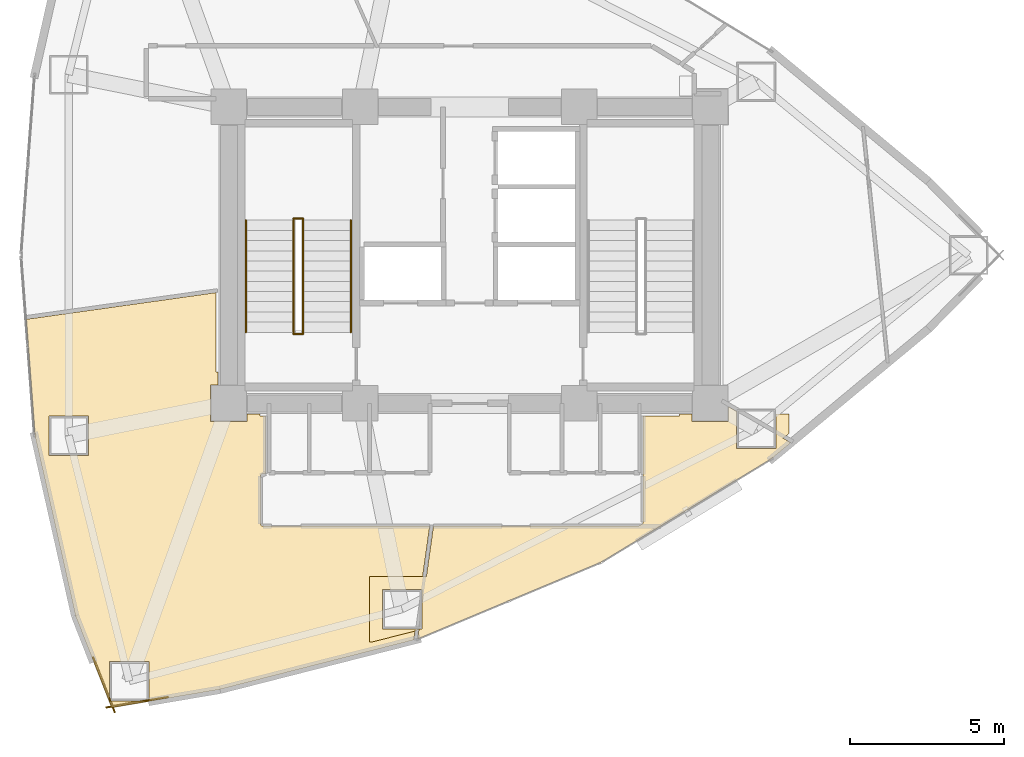
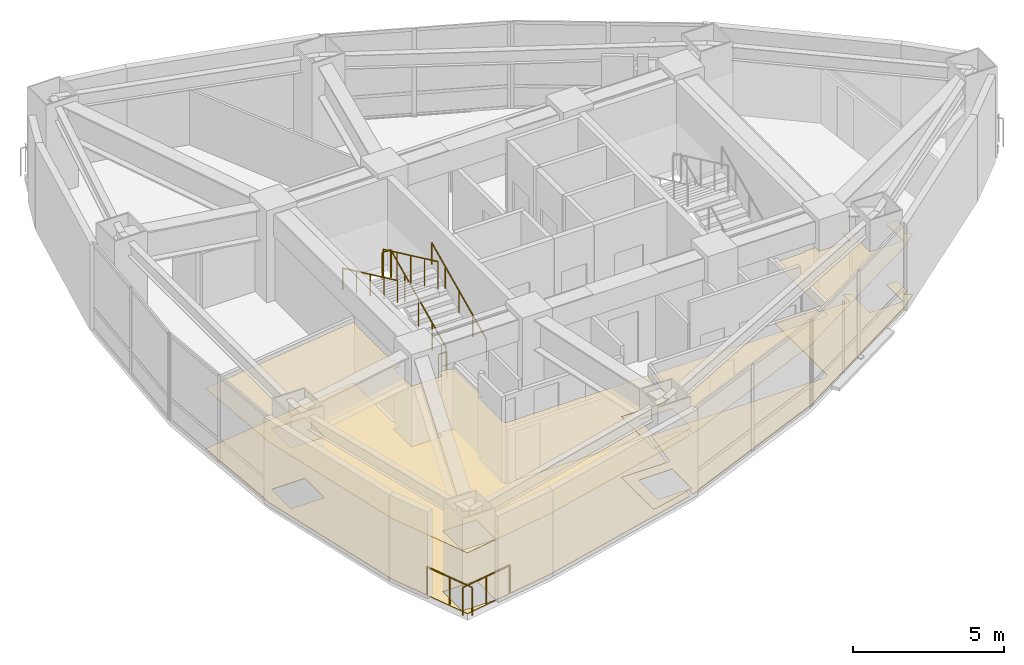
# One storey, part 16 of 17: 8 railings, 4 coverings.
"""IFC4 building model written with IfcOpenShell, lengths in metres."""

from ifc_helpers import new_model, si_unit, direction, frame, origin, origin_2d, place, context, subcontext, project, spatial, polyline, circle, outline, extrude, material, layer, layer_set, type_object, element, save


model = new_model("IFC4")

# Units and contexts
model_context = context("Model", 3, precision=1e-05, world=origin(), true_north=direction((0.0, 1.0)))
body_context = subcontext(model_context, "Body", "Model", "MODEL_VIEW")
ifc_project = project(units=[si_unit("LENGTHUNIT", "METRE"), si_unit("AREAUNIT", "SQUARE_METRE"), si_unit("VOLUMEUNIT", "CUBIC_METRE"), si_unit("PLANEANGLEUNIT", "RADIAN"), si_unit("MASSUNIT", "GRAM", prefix="KILO")], contexts=[model_context])

# Site, building, storey
site_placement = place(None, origin())
site = spatial("IfcSite", under=ifc_project, at=site_placement, CompositionType="ELEMENT")
building_placement = place(site_placement, origin())
building = spatial("IfcBuilding", under=site, at=building_placement, Name="Menara Vayukalpa", CompositionType="ELEMENT")
storey_placement = place(building_placement, frame((0.0, 0.0, 133.739990234375)))
storey = spatial("IfcBuildingStorey", under=building, at=storey_placement, Name="L33", CompositionType="ELEMENT", Elevation=133.739990234375)

# Coverings
ifc_material_1 = material(Name="Mineral Fibre Acoustic Ceiling Tile", Category="masonry")
ifc_layer_1 = layer(ifc_material_1, 0.02490234375)
ifc_layer_set_1 = layer_set([ifc_layer_1], Name="Mineral Fibre Acoustic Ceiling Tile")
covering_type_1 = type_object("IfcCoveringType", Name="COV-CLG1", PredefinedType="CEILING", material=ifc_layer_set_1)
covering_1_placement = place(storey_placement, frame((0.0, 0.0, 2.449951171875)))
element("IfcCovering", 1, at=covering_1_placement, inside=storey, type_object=covering_type_1, Name="L33 Operations Support Office Acoustic Ceiling", PredefinedType="CEILING", context=body_context, shape_type="SweptSolid", body=[
    extrude(outline(polyline([(24.46826171875, 10.090576171875), (24.048095703125, 9.914794921875), (24.048095703125, 11.172607421875), (22.768310546875, 11.172607421875), (22.768310546875, 9.892578125), (23.9951171875, 9.892578125), (23.827880859375, 9.82275390625), (23.7880859375, 9.538818359375), (23.787841796875, 9.53759765625), (23.78759765625, 9.536865234375), (23.787353515625, 9.535888671875), (23.786865234375, 9.534912109375), (23.786376953125, 9.5341796875), (23.78564453125, 9.533447265625), (23.784912109375, 9.53271484375), (23.7841796875, 9.531982421875), (23.783447265625, 9.531494140625), (23.782470703125, 9.531005859375), (23.781494140625, 9.53076171875), (23.78076171875, 9.530517578125), (17.5087890625, 7.930908203125), (17.5078125, 7.9306640625), (14.00830078125, 7.33642578125), (14.00732421875, 7.33642578125), (14.00634765625, 7.33642578125), (14.005615234375, 7.33642578125), (14.00439453125, 7.336669921875), (14.003662109375, 7.3369140625), (14.002685546875, 7.33740234375), (14.001708984375, 7.337646484375), (14.0009765625, 7.338134765625), (14.000244140625, 7.3388671875), (13.99951171875, 7.339599609375), (13.998779296875, 7.340087890625), (13.998291015625, 7.341064453125), (13.997802734375, 7.341796875), (13.997314453125, 7.3427734375), (12.831787109375, 10.310791015625), (12.83154296875, 10.3115234375), (12.831298828125, 10.312255859375), (11.5166015625, 16.155029296875), (11.516357421875, 16.156494140625), (11.23486328125, 19.9111328125), (11.23486328125, 19.912109375), (11.235107421875, 19.9130859375), (11.235107421875, 19.9140625), (11.2353515625, 19.9150390625), (11.23583984375, 19.916015625), (11.236328125, 19.916748046875), (11.23681640625, 19.917724609375), (11.2373046875, 19.91845703125), (11.238037109375, 19.919189453125), (11.239013671875, 19.919921875), (11.23974609375, 19.92041015625), (11.240478515625, 19.9208984375), (11.24169921875, 19.921142578125), (11.242431640625, 19.92138671875), (11.243408203125, 19.921630859375), (17.378662109375, 20.783935546875), (17.379638671875, 20.7841796875), (17.380615234375, 20.7841796875), (17.381591796875, 20.783935546875), (17.382568359375, 20.78369140625), (17.383544921875, 20.783447265625), (17.384521484375, 20.782958984375), (17.385498046875, 20.782470703125), (17.38623046875, 20.781982421875), (17.386962890625, 20.78125), (17.3876953125, 20.780517578125), (17.38818359375, 20.77978515625), (17.388916015625, 20.77880859375), (17.38916015625, 20.778076171875), (17.389404296875, 20.777099609375), (17.389892578125, 20.776123046875), (17.389892578125, 20.775146484375), (17.389892578125, 20.774169921875), (17.389892578125, 18.2099609375), (17.449951171875, 18.2099609375), (17.449951171875, 17.7900390625), (17.2099609375, 17.7900390625), (17.2099609375, 16.610107421875), (18.389892578125, 16.610107421875), (18.389892578125, 16.85009765625), (18.81005859375, 16.85009765625), (18.81005859375, 16.7900390625), (18.97998046875, 16.7900390625), (18.98095703125, 16.7900390625), (18.98193359375, 16.789794921875), (18.98291015625, 16.78955078125), (18.98388671875, 16.789306640625), (18.984619140625, 16.788818359375), (18.985595703125, 16.788330078125), (18.986328125, 16.78759765625), (18.987060546875, 16.787109375), (18.98779296875, 16.786376953125), (18.98828125, 16.78564453125), (18.98876953125, 16.78466796875), (18.9892578125, 16.78369140625), (18.989501953125, 16.782958984375), (18.98974609375, 16.781982421875), (18.989990234375, 16.781005859375), (18.989990234375, 16.780029296875), (18.989990234375, 14.929931640625), (18.989990234375, 14.928955078125), (18.98974609375, 14.927978515625), (18.989501953125, 14.927001953125), (18.9892578125, 14.92626953125), (18.98876953125, 14.92529296875), (18.98828125, 14.92431640625), (18.98779296875, 14.923583984375), (18.987060546875, 14.9228515625), (18.986328125, 14.92236328125), (18.985595703125, 14.921630859375), (18.984619140625, 14.921142578125), (18.98388671875, 14.9208984375), (18.98291015625, 14.92041015625), (18.98193359375, 14.920166015625), (18.98095703125, 14.919921875), (18.97998046875, 14.919921875), (18.900390625, 14.919921875), (18.893310546875, 14.919677734375), (18.88623046875, 14.918701171875), (18.879638671875, 14.9169921875), (18.873291015625, 14.914794921875), (18.866943359375, 14.911865234375), (18.861083984375, 14.908203125), (18.85546875, 14.904052734375), (18.8505859375, 14.8994140625), (18.845947265625, 14.89453125), (18.841796875, 14.888916015625), (18.838134765625, 14.883056640625), (18.835205078125, 14.876708984375), (18.8330078125, 14.870361328125), (18.831298828125, 14.86376953125), (18.830322265625, 14.856689453125), (18.830078125, 14.849609375), (18.830078125, 13.290283203125), (18.830322265625, 13.283203125), (18.831298828125, 13.2763671875), (18.8330078125, 13.269775390625), (18.835205078125, 13.26318359375), (18.838134765625, 13.257080078125), (18.841796875, 13.251220703125), (18.845947265625, 13.24560546875), (18.8505859375, 13.240478515625), (18.85546875, 13.236083984375), (18.861083984375, 13.231689453125), (18.866943359375, 13.228271484375), (18.873291015625, 13.225341796875), (18.879638671875, 13.222900390625), (18.88623046875, 13.22119140625), (18.893310546875, 13.220458984375), (18.900390625, 13.219970703125), (24.2939453125, 13.219970703125), (24.294921875, 13.219970703125), (24.2958984375, 13.2197265625), (24.297119140625, 13.219482421875), (24.2978515625, 13.21923828125), (24.298828125, 13.21875), (24.2998046875, 13.21826171875), (24.300537109375, 13.217529296875), (24.30126953125, 13.216796875), (24.302001953125, 13.21630859375), (24.302490234375, 13.21533203125), (24.302978515625, 13.214599609375), (24.30322265625, 13.213623046875), (24.3037109375, 13.212646484375), (24.303955078125, 13.211669921875), (24.303955078125, 13.210693359375), (24.303955078125, 13.209716796875), (24.303955078125, 13.20849609375), (24.076904296875, 11.592529296875), (24.46826171875, 11.592529296875), (24.46826171875, 10.090576171875)]), holes=[polyline([(15.208984375, 8.842529296875), (13.92919921875, 8.842529296875), (13.92919921875, 7.5625), (15.208984375, 7.5625), (15.208984375, 8.842529296875)]), polyline([(13.24658203125, 16.794189453125), (11.966552734375, 16.794189453125), (11.966552734375, 15.514404296875), (13.24658203125, 15.514404296875), (13.24658203125, 16.794189453125)])]), origin(), (0.0, 0.0, 1.0), 0.025146484375),
])
covering_2_placement = place(storey_placement, frame((0.0, 0.0, 2.449951171875)))
element("IfcCovering", 2, at=covering_2_placement, inside=storey, type_object=covering_type_1, Name="L33 Operations Support Office Acoustic Ceiling", PredefinedType="CEILING", context=body_context, shape_type="SweptSolid", body=[
    extrude(outline(polyline([(24.42529296875, 13.21142578125), (24.425537109375, 13.21240234375), (24.42578125, 13.213134765625), (24.42626953125, 13.214111328125), (24.426513671875, 13.215087890625), (24.427001953125, 13.2158203125), (24.427734375, 13.216552734375), (24.428466796875, 13.21728515625), (24.42919921875, 13.218017578125), (24.429931640625, 13.218505859375), (24.4306640625, 13.218994140625), (24.431640625, 13.21923828125), (24.4326171875, 13.219482421875), (24.433349609375, 13.2197265625), (24.434326171875, 13.219970703125), (24.435302734375, 13.219970703125), (31.048828125, 13.219970703125), (31.055419921875, 13.22021484375), (31.0615234375, 13.22119140625), (31.06787109375, 13.22265625), (31.073974609375, 13.224609375), (31.079833984375, 13.22705078125), (31.085693359375, 13.230224609375), (31.186279296875, 13.29150390625), (31.192138671875, 13.295654296875), (31.19775390625, 13.30029296875), (31.202880859375, 13.305419921875), (31.207275390625, 13.31103515625), (31.2109375, 13.317138671875), (31.214111328125, 13.323486328125), (31.216796875, 13.330078125), (31.218505859375, 13.337158203125), (31.219482421875, 13.34423828125), (31.219970703125, 13.3515625), (31.219970703125, 14.849609375), (31.219482421875, 14.856689453125), (31.21875, 14.86376953125), (31.217041015625, 14.870361328125), (31.214599609375, 14.876708984375), (31.2119140625, 14.8828125), (31.211669921875, 14.883056640625), (31.211181640625, 14.8837890625), (31.210693359375, 14.884765625), (31.21044921875, 14.8857421875), (31.210205078125, 14.88671875), (31.2099609375, 14.8876953125), (31.2099609375, 14.888671875), (31.2099609375, 16.780029296875), (31.2099609375, 16.781005859375), (31.210205078125, 16.781982421875), (31.21044921875, 16.782958984375), (31.210693359375, 16.78369140625), (31.211181640625, 16.78466796875), (31.211669921875, 16.78564453125), (31.21240234375, 16.786376953125), (31.212890625, 16.787109375), (31.213623046875, 16.78759765625), (31.21435546875, 16.788330078125), (31.21533203125, 16.788818359375), (31.21630859375, 16.789306640625), (31.217041015625, 16.78955078125), (31.218017578125, 16.789794921875), (31.218994140625, 16.7900390625), (31.219970703125, 16.7900390625), (32.389892578125, 16.7900390625), (32.389892578125, 16.85009765625), (32.81005859375, 16.85009765625), (32.81005859375, 16.610107421875), (33.989990234375, 16.610107421875), (33.989990234375, 17.0869140625), (34.246826171875, 16.9384765625), (34.246826171875, 15.73828125), (35.52685546875, 15.73828125), (35.52685546875, 16.85009765625), (35.94677734375, 16.85009765625), (35.94677734375, 16.226806640625), (35.7548828125, 16.06787109375), (35.99169921875, 15.930908203125), (35.99267578125, 15.930419921875), (35.993408203125, 15.9296875), (35.994140625, 15.92919921875), (35.99462890625, 15.928466796875), (35.9951171875, 15.927734375), (35.99560546875, 15.9267578125), (35.99609375, 15.92578125), (35.996337890625, 15.925048828125), (35.99658203125, 15.924072265625), (35.996826171875, 15.923095703125), (35.996826171875, 15.922119140625), (35.99658203125, 15.921142578125), (35.99658203125, 15.92041015625), (35.996337890625, 15.919189453125), (35.99609375, 15.91845703125), (35.99560546875, 15.91748046875), (35.9951171875, 15.916748046875), (35.994384765625, 15.916015625), (35.993896484375, 15.915283203125), (35.9931640625, 15.91455078125), (35.380859375, 15.40673828125), (35.379638671875, 15.406005859375), (29.862060546875, 12.05419921875), (29.861328125, 12.0537109375), (29.860595703125, 12.053466796875), (23.92919921875, 9.572509765625), (23.92822265625, 9.572021484375), (23.92724609375, 9.57177734375), (23.926513671875, 9.571533203125), (23.92529296875, 9.571533203125), (23.92431640625, 9.57177734375), (23.92333984375, 9.57177734375), (23.92236328125, 9.572021484375), (23.92138671875, 9.572509765625), (23.92041015625, 9.572998046875), (23.919677734375, 9.573486328125), (23.9189453125, 9.573974609375), (23.918212890625, 9.57470703125), (23.91748046875, 9.575439453125), (23.9169921875, 9.576416015625), (23.91650390625, 9.5771484375), (23.916015625, 9.578125), (23.915771484375, 9.5791015625), (23.91552734375, 9.580078125), (23.915283203125, 9.5810546875), (23.915283203125, 9.58203125), (23.91552734375, 9.5830078125), (23.956787109375, 9.876708984375), (23.818359375, 9.818603515625), (22.46142578125, 9.47265625), (22.34814453125, 9.47265625), (22.34814453125, 11.592529296875), (24.197998046875, 11.592529296875), (24.42529296875, 13.21142578125)]), holes=[polyline([(24.048095703125, 11.172607421875), (22.768310546875, 11.172607421875), (22.768310546875, 9.892578125), (24.048095703125, 9.892578125), (24.048095703125, 11.172607421875)])]), origin(), (0.0, 0.0, 1.0), 0.025146484375),
])
ifc_material_2 = material(Name="Porcelain Stoneware Floor Tile", Category="masonry")
ifc_layer_2 = layer(ifc_material_2, 0.02001953125)
ifc_layer_set_2 = layer_set([ifc_layer_2], Name="Porcelain Stoneware Floor Tile")
covering_type_2 = type_object("IfcCoveringType", Name="COV-FLR1", PredefinedType="FLOORING", material=ifc_layer_set_2)
covering_3_placement = place(storey_placement, origin())
element("IfcCovering", 3, at=covering_3_placement, inside=storey, type_object=covering_type_2, Name="L33 Operations Support Office Porcelain Flooring", PredefinedType="FLOORING", context=body_context, shape_type="SweptSolid", body=[
    extrude(outline(polyline([(24.46826171875, 10.090576171875), (24.048095703125, 9.914794921875), (24.048095703125, 11.172607421875), (22.768310546875, 11.172607421875), (22.768310546875, 9.892578125), (23.9951171875, 9.892578125), (23.827880859375, 9.82275390625), (23.7880859375, 9.538818359375), (23.787841796875, 9.53759765625), (23.78759765625, 9.536865234375), (23.787353515625, 9.535888671875), (23.786865234375, 9.534912109375), (23.786376953125, 9.5341796875), (23.78564453125, 9.533447265625), (23.784912109375, 9.53271484375), (23.7841796875, 9.531982421875), (23.783447265625, 9.531494140625), (23.782470703125, 9.531005859375), (23.781494140625, 9.53076171875), (23.78076171875, 9.530517578125), (17.5087890625, 7.930908203125), (17.5078125, 7.9306640625), (14.00830078125, 7.33642578125), (14.00732421875, 7.33642578125), (14.00634765625, 7.33642578125), (14.005615234375, 7.33642578125), (14.00439453125, 7.336669921875), (14.003662109375, 7.3369140625), (14.002685546875, 7.33740234375), (14.001708984375, 7.337646484375), (14.0009765625, 7.338134765625), (14.000244140625, 7.3388671875), (13.99951171875, 7.339599609375), (13.998779296875, 7.340087890625), (13.998291015625, 7.341064453125), (13.997802734375, 7.341796875), (13.997314453125, 7.3427734375), (12.831787109375, 10.310791015625), (12.83154296875, 10.3115234375), (12.831298828125, 10.312255859375), (11.5166015625, 16.155029296875), (11.516357421875, 16.156494140625), (11.23486328125, 19.9111328125), (11.23486328125, 19.912109375), (11.235107421875, 19.9130859375), (11.235107421875, 19.9140625), (11.2353515625, 19.9150390625), (11.23583984375, 19.916015625), (11.236328125, 19.916748046875), (11.23681640625, 19.917724609375), (11.2373046875, 19.91845703125), (11.238037109375, 19.919189453125), (11.239013671875, 19.919921875), (11.23974609375, 19.92041015625), (11.240478515625, 19.9208984375), (11.24169921875, 19.921142578125), (11.242431640625, 19.92138671875), (11.243408203125, 19.921630859375), (17.378662109375, 20.783935546875), (17.379638671875, 20.7841796875), (17.380615234375, 20.7841796875), (17.381591796875, 20.783935546875), (17.382568359375, 20.78369140625), (17.383544921875, 20.783447265625), (17.384521484375, 20.782958984375), (17.385498046875, 20.782470703125), (17.38623046875, 20.781982421875), (17.386962890625, 20.78125), (17.3876953125, 20.780517578125), (17.38818359375, 20.77978515625), (17.388916015625, 20.77880859375), (17.38916015625, 20.778076171875), (17.389404296875, 20.777099609375), (17.389892578125, 20.776123046875), (17.389892578125, 20.775146484375), (17.389892578125, 20.774169921875), (17.389892578125, 18.2099609375), (17.449951171875, 18.2099609375), (17.449951171875, 17.7900390625), (17.2099609375, 17.7900390625), (17.2099609375, 16.610107421875), (18.389892578125, 16.610107421875), (18.389892578125, 16.85009765625), (18.81005859375, 16.85009765625), (18.81005859375, 16.7900390625), (18.97998046875, 16.7900390625), (18.98095703125, 16.7900390625), (18.98193359375, 16.789794921875), (18.98291015625, 16.78955078125), (18.98388671875, 16.789306640625), (18.984619140625, 16.788818359375), (18.985595703125, 16.788330078125), (18.986328125, 16.78759765625), (18.987060546875, 16.787109375), (18.98779296875, 16.786376953125), (18.98828125, 16.78564453125), (18.98876953125, 16.78466796875), (18.9892578125, 16.78369140625), (18.989501953125, 16.782958984375), (18.98974609375, 16.781982421875), (18.989990234375, 16.781005859375), (18.989990234375, 16.780029296875), (18.989990234375, 14.929931640625), (18.989990234375, 14.928955078125), (18.98974609375, 14.927978515625), (18.989501953125, 14.927001953125), (18.9892578125, 14.92626953125), (18.98876953125, 14.92529296875), (18.98828125, 14.92431640625), (18.98779296875, 14.923583984375), (18.987060546875, 14.9228515625), (18.986328125, 14.92236328125), (18.985595703125, 14.921630859375), (18.984619140625, 14.921142578125), (18.98388671875, 14.9208984375), (18.98291015625, 14.92041015625), (18.98193359375, 14.920166015625), (18.98095703125, 14.919921875), (18.97998046875, 14.919921875), (18.900390625, 14.919921875), (18.893310546875, 14.919677734375), (18.88623046875, 14.918701171875), (18.879638671875, 14.9169921875), (18.873291015625, 14.914794921875), (18.866943359375, 14.911865234375), (18.861083984375, 14.908203125), (18.85546875, 14.904052734375), (18.8505859375, 14.8994140625), (18.845947265625, 14.89453125), (18.841796875, 14.888916015625), (18.838134765625, 14.883056640625), (18.835205078125, 14.876708984375), (18.8330078125, 14.870361328125), (18.831298828125, 14.86376953125), (18.830322265625, 14.856689453125), (18.830078125, 14.849609375), (18.830078125, 13.290283203125), (18.830322265625, 13.283203125), (18.831298828125, 13.2763671875), (18.8330078125, 13.269775390625), (18.835205078125, 13.26318359375), (18.838134765625, 13.257080078125), (18.841796875, 13.251220703125), (18.845947265625, 13.24560546875), (18.8505859375, 13.240478515625), (18.85546875, 13.236083984375), (18.861083984375, 13.231689453125), (18.866943359375, 13.228271484375), (18.873291015625, 13.225341796875), (18.879638671875, 13.222900390625), (18.88623046875, 13.22119140625), (18.893310546875, 13.220458984375), (18.900390625, 13.219970703125), (24.2939453125, 13.219970703125), (24.294921875, 13.219970703125), (24.2958984375, 13.2197265625), (24.297119140625, 13.219482421875), (24.2978515625, 13.21923828125), (24.298828125, 13.21875), (24.2998046875, 13.21826171875), (24.300537109375, 13.217529296875), (24.30126953125, 13.216796875), (24.302001953125, 13.21630859375), (24.302490234375, 13.21533203125), (24.302978515625, 13.214599609375), (24.30322265625, 13.213623046875), (24.3037109375, 13.212646484375), (24.303955078125, 13.211669921875), (24.303955078125, 13.210693359375), (24.303955078125, 13.209716796875), (24.303955078125, 13.20849609375), (24.076904296875, 11.592529296875), (24.46826171875, 11.592529296875), (24.46826171875, 10.090576171875)]), holes=[polyline([(15.208984375, 8.842529296875), (13.92919921875, 8.842529296875), (13.92919921875, 7.5625), (15.208984375, 7.5625), (15.208984375, 8.842529296875)]), polyline([(13.24658203125, 16.794189453125), (11.966552734375, 16.794189453125), (11.966552734375, 15.514404296875), (13.24658203125, 15.514404296875), (13.24658203125, 16.794189453125)])]), origin(), (0.0, 0.0, 1.0), 0.02001953125),
])
covering_4_placement = place(storey_placement, origin())
element("IfcCovering", 4, at=covering_4_placement, inside=storey, type_object=covering_type_2, Name="L33 Operations Support Office Porcelain Flooring", PredefinedType="FLOORING", context=body_context, shape_type="SweptSolid", body=[
    extrude(outline(polyline([(24.42529296875, 13.21142578125), (24.425537109375, 13.21240234375), (24.42578125, 13.213134765625), (24.42626953125, 13.214111328125), (24.426513671875, 13.215087890625), (24.427001953125, 13.2158203125), (24.427734375, 13.216552734375), (24.428466796875, 13.21728515625), (24.42919921875, 13.218017578125), (24.429931640625, 13.218505859375), (24.4306640625, 13.218994140625), (24.431640625, 13.21923828125), (24.4326171875, 13.219482421875), (24.433349609375, 13.2197265625), (24.434326171875, 13.219970703125), (24.435302734375, 13.219970703125), (31.048828125, 13.219970703125), (31.055419921875, 13.22021484375), (31.0615234375, 13.22119140625), (31.06787109375, 13.22265625), (31.073974609375, 13.224609375), (31.079833984375, 13.22705078125), (31.085693359375, 13.230224609375), (31.186279296875, 13.29150390625), (31.192138671875, 13.295654296875), (31.19775390625, 13.30029296875), (31.202880859375, 13.305419921875), (31.207275390625, 13.31103515625), (31.2109375, 13.317138671875), (31.214111328125, 13.323486328125), (31.216796875, 13.330078125), (31.218505859375, 13.337158203125), (31.219482421875, 13.34423828125), (31.219970703125, 13.3515625), (31.219970703125, 14.849609375), (31.219482421875, 14.856689453125), (31.21875, 14.86376953125), (31.217041015625, 14.870361328125), (31.214599609375, 14.876708984375), (31.2119140625, 14.8828125), (31.211669921875, 14.883056640625), (31.211181640625, 14.8837890625), (31.210693359375, 14.884765625), (31.21044921875, 14.8857421875), (31.210205078125, 14.88671875), (31.2099609375, 14.8876953125), (31.2099609375, 14.888671875), (31.2099609375, 16.780029296875), (31.2099609375, 16.781005859375), (31.210205078125, 16.781982421875), (31.21044921875, 16.782958984375), (31.210693359375, 16.78369140625), (31.211181640625, 16.78466796875), (31.211669921875, 16.78564453125), (31.21240234375, 16.786376953125), (31.212890625, 16.787109375), (31.213623046875, 16.78759765625), (31.21435546875, 16.788330078125), (31.21533203125, 16.788818359375), (31.21630859375, 16.789306640625), (31.217041015625, 16.78955078125), (31.218017578125, 16.789794921875), (31.218994140625, 16.7900390625), (31.219970703125, 16.7900390625), (32.389892578125, 16.7900390625), (32.389892578125, 16.85009765625), (32.81005859375, 16.85009765625), (32.81005859375, 16.610107421875), (33.989990234375, 16.610107421875), (33.989990234375, 17.0869140625), (34.246826171875, 16.9384765625), (34.246826171875, 15.73828125), (35.52685546875, 15.73828125), (35.52685546875, 16.85009765625), (35.94677734375, 16.85009765625), (35.94677734375, 16.226806640625), (35.7548828125, 16.06787109375), (35.99169921875, 15.930908203125), (35.99267578125, 15.930419921875), (35.993408203125, 15.9296875), (35.994140625, 15.92919921875), (35.99462890625, 15.928466796875), (35.9951171875, 15.927734375), (35.99560546875, 15.9267578125), (35.99609375, 15.92578125), (35.996337890625, 15.925048828125), (35.99658203125, 15.924072265625), (35.996826171875, 15.923095703125), (35.996826171875, 15.922119140625), (35.99658203125, 15.921142578125), (35.99658203125, 15.92041015625), (35.996337890625, 15.919189453125), (35.99609375, 15.91845703125), (35.99560546875, 15.91748046875), (35.9951171875, 15.916748046875), (35.994384765625, 15.916015625), (35.993896484375, 15.915283203125), (35.9931640625, 15.91455078125), (35.380859375, 15.40673828125), (35.379638671875, 15.406005859375), (29.862060546875, 12.05419921875), (29.861328125, 12.0537109375), (29.860595703125, 12.053466796875), (23.92919921875, 9.572509765625), (23.92822265625, 9.572021484375), (23.92724609375, 9.57177734375), (23.926513671875, 9.571533203125), (23.92529296875, 9.571533203125), (23.92431640625, 9.57177734375), (23.92333984375, 9.57177734375), (23.92236328125, 9.572021484375), (23.92138671875, 9.572509765625), (23.92041015625, 9.572998046875), (23.919677734375, 9.573486328125), (23.9189453125, 9.573974609375), (23.918212890625, 9.57470703125), (23.91748046875, 9.575439453125), (23.9169921875, 9.576416015625), (23.91650390625, 9.5771484375), (23.916015625, 9.578125), (23.915771484375, 9.5791015625), (23.91552734375, 9.580078125), (23.915283203125, 9.5810546875), (23.915283203125, 9.58203125), (23.91552734375, 9.5830078125), (23.956787109375, 9.876708984375), (23.818359375, 9.818603515625), (22.46142578125, 9.47265625), (22.34814453125, 9.47265625), (22.34814453125, 11.592529296875), (24.197998046875, 11.592529296875), (24.42529296875, 13.21142578125)]), holes=[polyline([(24.048095703125, 11.172607421875), (22.768310546875, 11.172607421875), (22.768310546875, 9.892578125), (24.048095703125, 9.892578125), (24.048095703125, 11.172607421875)])]), origin(), (0.0, 0.0, 1.0), 0.02001953125),
])

# Railings
ifc_material_3 = material(Name="Laminated Glass and Stainless Steel 316 Guardrail", Category="steel")
railing_type_1 = type_object("IfcRailingType", Name="RLG-EXT115", PredefinedType="GUARDRAIL", material=ifc_material_3)
railing_1_placement = place(storey_placement, frame((13.39990234375, 8.9736328125, 0.0)))
element("IfcRailing", 5, at=railing_1_placement, inside=storey, type_object=railing_type_1, Name="L33 Column Corner Spandrel Guardrail 13-1", PredefinedType="GUARDRAIL", context=body_context, shape_type="SweptSolid", body=[
    extrude(circle(Radius=0.02392578125, at=origin_2d()), frame((0.0, 0.0, 1.1259765625), z_axis=(0.365573386764, -0.930782519652, 0.0), x_axis=(0.930782519652, 0.365573386764, 0.0)), (0.0, 0.0, 1.0), 1.91259765625),
    extrude(circle(Radius=0.02099609375, at=origin_2d()), origin(), (0.0, 0.0, 1.0), 1.101806640625),
    extrude(circle(Radius=0.02099609375, at=origin_2d()), frame((0.349609375, -0.89013671875, 0.0)), (0.0, 0.0, 1.0), 1.101806640625),
    extrude(circle(Radius=0.02099609375, at=origin_2d()), frame((0.69921875, -1.7802734375, 0.0)), (0.0, 0.0, 1.0), 1.101806640625),
])
railing_2_placement = place(storey_placement, frame((13.827880859375, 7.346435546875, 0.0)))
element("IfcRailing", 6, at=railing_2_placement, inside=storey, type_object=railing_type_1, Name="L33 Column Corner Spandrel Guardrail 14-1", PredefinedType="GUARDRAIL", context=body_context, shape_type="SweptSolid", body=[
    extrude(circle(Radius=0.02392578125, at=origin_2d()), frame((0.0, 0.0, 1.1259765625), z_axis=(0.985895977605, 0.16735925831, 0.0), x_axis=(-0.16735925831, 0.985895977605, 0.0)), (0.0, 0.0, 1.0), 2.01904296875),
    extrude(circle(Radius=0.02099609375, at=origin_2d()), origin(), (0.0, 0.0, 1.0), 1.101806640625),
    extrude(circle(Radius=0.02099609375, at=origin_2d()), frame((0.9951171875, 0.1689453125, 0.0)), (0.0, 0.0, 1.0), 1.101806640625),
    extrude(circle(Radius=0.02099609375, at=origin_2d()), frame((1.990478515625, 0.337890625, 0.0)), (0.0, 0.0, 1.0), 1.101806640625),
])
ifc_material_4 = material(Name="Powder-Coated Galvanised Steel Guardrail", Category="steel")
railing_type_2 = type_object("IfcRailingType", Name="RLG-STG110", PredefinedType="GUARDRAIL", material=ifc_material_4)
railing_3_placement = place(storey_placement, frame((20.199951171875, 19.5, 0.155029296875)))
element("IfcRailing", 7, at=railing_3_placement, inside=storey, type_object=railing_type_2, Name="L33 ST-1 stair guard 1", PredefinedType="GUARDRAIL", context=body_context, shape_type="SweptSolid", body=[
    extrude(circle(Radius=0.02392578125, at=origin_2d()), frame((0.0, 0.0, 1.09619140625), z_axis=(0.0, 0.90511648382, 0.425163675209), x_axis=(-1.0, 0.0, 0.0)), (0.0, 0.0, 1.0), 4.010498046875),
    extrude(circle(Radius=0.02099609375, at=origin_2d()), origin(), (0.0, 0.0, 1.0), 1.072021484375),
    extrude(circle(Radius=0.02099609375, at=origin_2d()), frame((0.0, 0.907470703125, 0.42626953125)), (0.0, 0.0, 1.0), 1.072021484375),
    extrude(circle(Radius=0.02099609375, at=origin_2d()), frame((0.0, 1.81494140625, 0.8525390625)), (0.0, 0.0, 1.0), 1.072021484375),
    extrude(circle(Radius=0.02099609375, at=origin_2d()), frame((0.0, 2.722412109375, 1.27880859375)), (0.0, 0.0, 1.0), 1.072021484375),
    extrude(circle(Radius=0.02099609375, at=origin_2d()), frame((0.0, 3.6298828125, 1.705078125)), (0.0, 0.0, 1.0), 1.072021484375),
])
railing_4_placement = place(storey_placement, frame((20.2099609375, 23.179931640625, 1.860107421875)))
element("IfcRailing", 8, at=railing_4_placement, inside=storey, type_object=railing_type_2, Name="L33 ST-1 stair guard 2", PredefinedType="GUARDRAIL", context=body_context, shape_type="SweptSolid", body=[
    extrude(circle(Radius=0.02392578125, at=origin_2d()), frame((0.0, 0.0, 1.09619140625), z_axis=(-1.0, 0.0, 0.0), x_axis=(0.0, -1.0, 0.0)), (0.0, 0.0, 1.0), 0.320068359375),
    extrude(circle(Radius=0.02099609375, at=origin_2d()), origin(), (0.0, 0.0, 1.0), 1.072021484375),
    extrude(circle(Radius=0.02099609375, at=origin_2d()), frame((-0.320068359375, 0.0, 0.0)), (0.0, 0.0, 1.0), 1.072021484375),
])
railing_5_placement = place(storey_placement, frame((19.89990234375, 23.1298828125, 2.014892578125)))
element("IfcRailing", 9, at=railing_5_placement, inside=storey, type_object=railing_type_2, Name="L33 ST-1 stair guard 3", PredefinedType="GUARDRAIL", context=body_context, shape_type="SweptSolid", body=[
    extrude(circle(Radius=0.02392578125, at=origin_2d()), frame((0.0, 0.0, 1.09619140625), z_axis=(0.0, -0.90511648382, 0.425163675209), x_axis=(1.0, 0.0, 0.0)), (0.0, 0.0, 1.0), 4.010498046875),
    extrude(circle(Radius=0.02099609375, at=origin_2d()), origin(), (0.0, 0.0, 1.0), 1.072021484375),
    extrude(circle(Radius=0.02099609375, at=origin_2d()), frame((0.0, -0.907470703125, 0.42626953125)), (0.0, 0.0, 1.0), 1.072021484375),
    extrude(circle(Radius=0.02099609375, at=origin_2d()), frame((0.0, -1.81494140625, 0.8525390625)), (0.0, 0.0, 1.0), 1.072021484375),
    extrude(circle(Radius=0.02099609375, at=origin_2d()), frame((0.0, -2.722412109375, 1.27880859375)), (0.0, 0.0, 1.0), 1.072021484375),
    extrude(circle(Radius=0.02099609375, at=origin_2d()), frame((0.0, -3.6298828125, 1.705078125)), (0.0, 0.0, 1.0), 1.072021484375),
])
railing_6_placement = place(storey_placement, frame((20.2099609375, 19.449951171875, 0.0)))
element("IfcRailing", 10, at=railing_6_placement, inside=storey, type_object=railing_type_2, Name="L33 ST-1 stair guard 4", PredefinedType="GUARDRAIL", context=body_context, shape_type="SweptSolid", body=[
    extrude(circle(Radius=0.02392578125, at=origin_2d()), frame((0.0, 0.0, 1.09619140625), z_axis=(-1.0, 0.0, 0.0), x_axis=(0.0, -1.0, 0.0)), (0.0, 0.0, 1.0), 0.320068359375),
    extrude(circle(Radius=0.02099609375, at=origin_2d()), origin(), (0.0, 0.0, 1.0), 1.072021484375),
    extrude(circle(Radius=0.02099609375, at=origin_2d()), frame((-0.320068359375, 0.0, 0.0)), (0.0, 0.0, 1.0), 1.072021484375),
])
ifc_material_5 = material(Name="Stainless Steel 316 Tubular Handrail", Category="steel")
railing_type_3 = type_object("IfcRailingType", Name="RLG-STH090", PredefinedType="HANDRAIL", material=ifc_material_5)
railing_7_placement = place(storey_placement, frame((21.75, 19.5, 0.155029296875)))
element("IfcRailing", 11, at=railing_7_placement, inside=storey, type_object=railing_type_3, Name="L33 ST-1 stair handrail 1", PredefinedType="HANDRAIL", context=body_context, shape_type="SweptSolid", body=[
    extrude(circle(Radius=0.02392578125, at=origin_2d()), frame((0.0, 0.0, 0.8759765625), z_axis=(0.0, 0.90511648382, 0.425163675209), x_axis=(-1.0, 0.0, 0.0)), (0.0, 0.0, 1.0), 4.010498046875),
    extrude(circle(Radius=0.02099609375, at=origin_2d()), origin(), (0.0, 0.0, 1.0), 0.851806640625),
    extrude(circle(Radius=0.02099609375, at=origin_2d()), frame((0.0, 0.907470703125, 0.42626953125)), (0.0, 0.0, 1.0), 0.851806640625),
    extrude(circle(Radius=0.02099609375, at=origin_2d()), frame((0.0, 1.81494140625, 0.8525390625)), (0.0, 0.0, 1.0), 0.851806640625),
    extrude(circle(Radius=0.02099609375, at=origin_2d()), frame((0.0, 2.722412109375, 1.27880859375)), (0.0, 0.0, 1.0), 0.851806640625),
    extrude(circle(Radius=0.02099609375, at=origin_2d()), frame((0.0, 3.6298828125, 1.705078125)), (0.0, 0.0, 1.0), 0.851806640625),
])
railing_8_placement = place(storey_placement, frame((18.35009765625, 23.1298828125, 2.014892578125)))
element("IfcRailing", 12, at=railing_8_placement, inside=storey, type_object=railing_type_3, Name="L33 ST-1 stair handrail 2", PredefinedType="HANDRAIL", context=body_context, shape_type="SweptSolid", body=[
    extrude(circle(Radius=0.02392578125, at=origin_2d()), frame((0.0, 0.0, 0.8759765625), z_axis=(0.0, -0.90511648382, 0.425163675209), x_axis=(1.0, 0.0, 0.0)), (0.0, 0.0, 1.0), 4.010498046875),
    extrude(circle(Radius=0.02099609375, at=origin_2d()), origin(), (0.0, 0.0, 1.0), 0.851806640625),
    extrude(circle(Radius=0.02099609375, at=origin_2d()), frame((0.0, -0.907470703125, 0.42626953125)), (0.0, 0.0, 1.0), 0.851806640625),
    extrude(circle(Radius=0.02099609375, at=origin_2d()), frame((0.0, -1.81494140625, 0.8525390625)), (0.0, 0.0, 1.0), 0.851806640625),
    extrude(circle(Radius=0.02099609375, at=origin_2d()), frame((0.0, -2.722412109375, 1.27880859375)), (0.0, 0.0, 1.0), 0.851806640625),
    extrude(circle(Radius=0.02099609375, at=origin_2d()), frame((0.0, -3.6298828125, 1.705078125)), (0.0, 0.0, 1.0), 0.851806640625),
])

save(model, "model.ifc")
